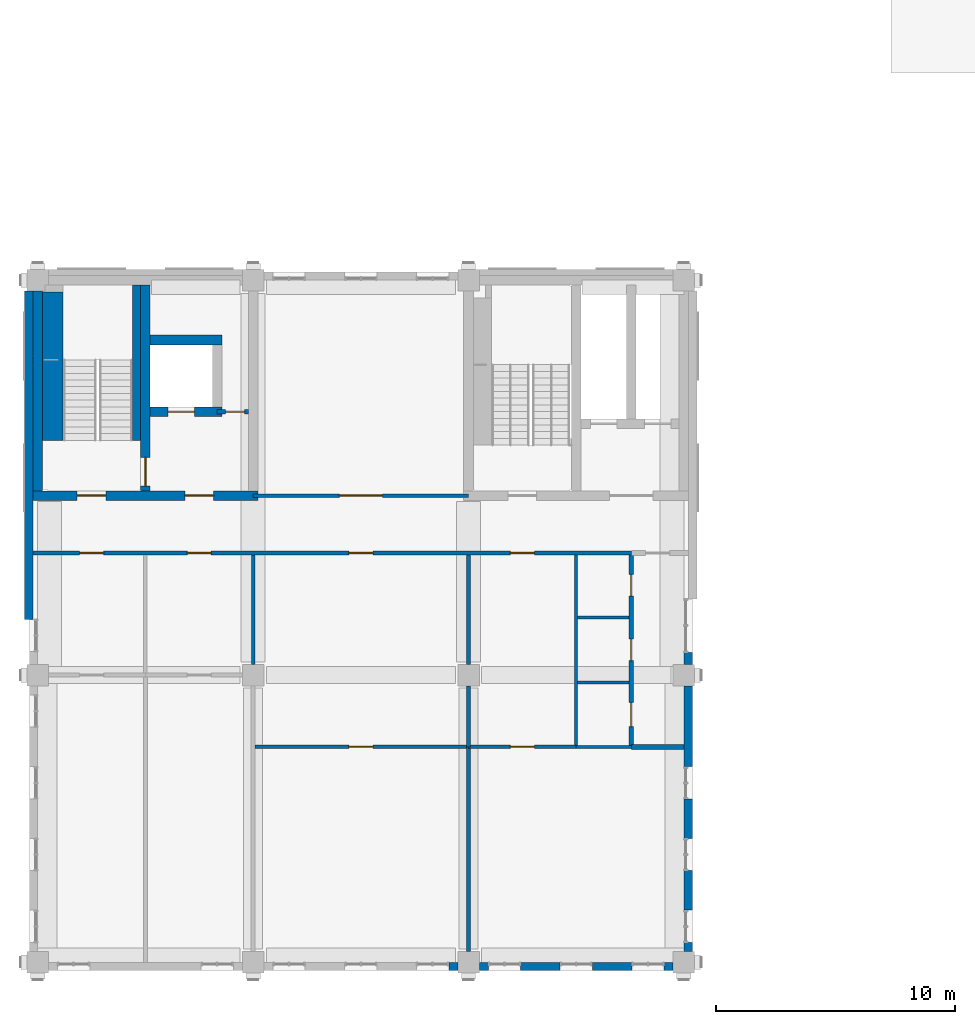
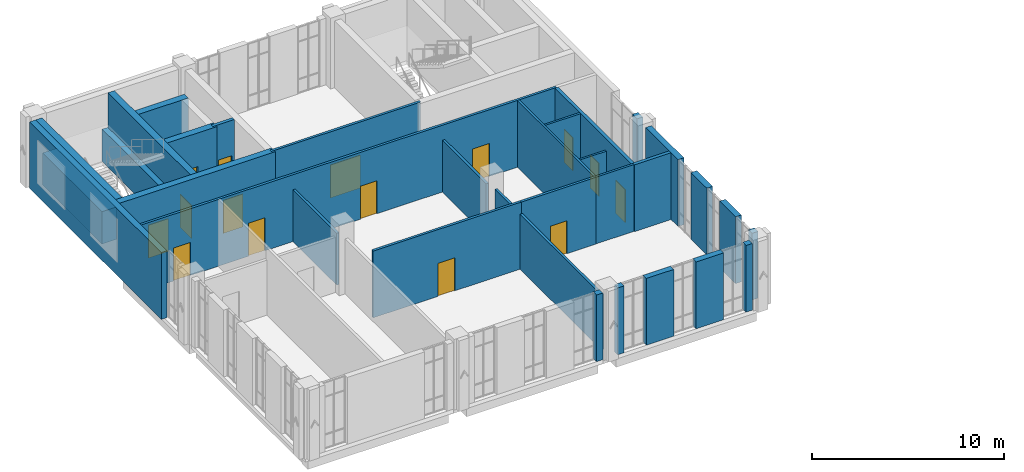
# One storey, part 17 of 25: 33 walls, 15 doors, 15 openings.
"""IFC4 building model written with IfcOpenShell, lengths in metres."""

from ifc_helpers import new_model, si_unit, direction, frame, frame_2d, origin, place, context, subcontext, project, spatial, rectangle, extrude, material, layer, layer_set, type_object, element, fill, save


model = new_model("IFC4")

# Units and contexts
model_context = context("Model", 3, precision=1e-05, world=origin(), true_north=direction((0.0, 1.0)))
body_context = subcontext(model_context, "Body", "Model", "MODEL_VIEW")
ifc_project = project(units=[si_unit("LENGTHUNIT", "METRE"), si_unit("AREAUNIT", "SQUARE_METRE"), si_unit("VOLUMEUNIT", "CUBIC_METRE"), si_unit("PLANEANGLEUNIT", "RADIAN"), si_unit("MASSUNIT", "GRAM", prefix="KILO")], contexts=[model_context])

# Site, building, storey
site_placement = place(None, origin())
site = spatial("IfcSite", under=ifc_project, at=site_placement, CompositionType="ELEMENT")
building_placement = place(site_placement, origin())
building = spatial("IfcBuilding", under=site, at=building_placement, Name="Aurelan Courthouse", CompositionType="ELEMENT")
storey_placement = place(building_placement, frame((0.0, 0.0, 44.39990234375)))
storey = spatial("IfcBuildingStorey", under=building, at=storey_placement, Name="L08", CompositionType="ELEMENT", Elevation=44.39990234375)

# Wall, openings, doors
ifc_material_1 = material(Name="Gypsum board on metal studs")
ifc_layer_1 = layer(ifc_material_1, 0.14990234375)
ifc_layer_set_1 = layer_set([ifc_layer_1], Name="Gypsum board on metal studs")
wall_type_1 = type_object("IfcWallType", Name="Corridor partition 150 EI 60", PredefinedType="PARTITIONING", material=ifc_layer_set_1)
wall_1_placement = place(storey_placement, frame((-0.199951171875, 17.10009765625, 0.0), z_axis=(0.0, 0.0, 1.0), x_axis=(1.0, 0.0, 0.0)))
wall_1 = element("IfcWall", 1, at=wall_1_placement, inside=storey, type_object=wall_type_1, Name="Corridor partition L08-009", PredefinedType="PARTITIONING", context=body_context, shape_type="SweptSolid", body=[
    extrude(rectangle(XDim=25.0, YDim=0.14990234375, at=frame_2d((12.5, 0.0))), origin(), (0.0, 0.0, 1.0), 4.25),
])
opening_1_placement = place(wall_1_placement, frame((2.949951171875, 0.0, 0.0), z_axis=(0.0, 0.0, 1.0), x_axis=(-1.0, 0.0, 0.0)))
opening_1 = element("IfcOpeningElement", 2, at=opening_1_placement, cuts=wall_1, Name="Opening D-L08-010", PredefinedType="OPENING", context=body_context, shape_type="SweptSolid", body=[
    extrude(rectangle(XDim=1.0, YDim=2.10009765625, at=frame_2d((0.5, 1.050048828125))), frame((0.0, 0.0849609375, 0.0), z_axis=(0.0, -1.0, 0.0), x_axis=(1.0, 0.0, 0.0)), (0.0, 0.0, 1.0), 0.169921875),
])
opening_2_placement = place(wall_1_placement, frame((7.449951171875, 0.0, 0.0), z_axis=(0.0, 0.0, 1.0), x_axis=(-1.0, 0.0, 0.0)))
opening_2 = element("IfcOpeningElement", 3, at=opening_2_placement, cuts=wall_1, Name="Opening D-L08-012", PredefinedType="OPENING", context=body_context, shape_type="SweptSolid", body=[
    extrude(rectangle(XDim=1.0, YDim=2.10009765625, at=frame_2d((0.5, 1.050048828125))), frame((0.0, 0.0849609375, 0.0), z_axis=(0.0, -1.0, 0.0), x_axis=(1.0, 0.0, 0.0)), (0.0, 0.0, 1.0), 0.169921875),
])
opening_3_placement = place(wall_1_placement, frame((14.199951171875, 0.0, 0.0), z_axis=(0.0, 0.0, 1.0), x_axis=(-1.0, 0.0, 0.0)))
opening_3 = element("IfcOpeningElement", 4, at=opening_3_placement, cuts=wall_1, Name="Opening D-L08-014", PredefinedType="OPENING", context=body_context, shape_type="SweptSolid", body=[
    extrude(rectangle(XDim=1.0, YDim=2.10009765625, at=frame_2d((0.5, 1.050048828125))), frame((0.0, 0.0849609375, 0.0), z_axis=(0.0, -1.0, 0.0), x_axis=(1.0, 0.0, 0.0)), (0.0, 0.0, 1.0), 0.169921875),
])
opening_4_placement = place(wall_1_placement, frame((20.949951171875, 0.0, 0.0), z_axis=(0.0, 0.0, 1.0), x_axis=(-1.0, 0.0, 0.0)))
opening_4 = element("IfcOpeningElement", 5, at=opening_4_placement, cuts=wall_1, Name="Opening D-L08-017", PredefinedType="OPENING", context=body_context, shape_type="SweptSolid", body=[
    extrude(rectangle(XDim=1.0, YDim=2.10009765625, at=frame_2d((0.5, 1.050048828125))), frame((0.0, 0.0849609375, 0.0), z_axis=(0.0, -1.0, 0.0), x_axis=(1.0, 0.0, 0.0)), (0.0, 0.0, 1.0), 0.169921875),
])
ifc_material_2 = material(Name="Steel", Category="steel")
door_type_1 = type_object("IfcDoorType", Name="Single door 1000 x 2100 FD60", OperationType="SINGLE_SWING_LEFT", PredefinedType="DOOR", material=ifc_material_2)
door_1_placement = place(opening_1_placement, origin())
door_1 = element("IfcDoor", 6, at=door_1_placement, inside=storey, type_object=door_type_1, Name="Single door D-L08-010", OperationType="SINGLE_SWING_LEFT", OverallHeight=2.10009765625, OverallWidth=1.0, PredefinedType="DOOR", context=body_context, shape_type="SweptSolid", body=[
    extrude(rectangle(XDim=1.0, YDim=2.10009765625, at=frame_2d((0.5, 1.050048828125))), frame((0.0, 0.02490234375, 0.0), z_axis=(0.0, -1.0, 0.0), x_axis=(1.0, 0.0, 0.0)), (0.0, 0.0, 1.0), 0.050048828125),
])
fill(opening_1, door_1)
door_2_placement = place(opening_2_placement, origin())
door_2 = element("IfcDoor", 7, at=door_2_placement, inside=storey, type_object=door_type_1, Name="Single door D-L08-012", OperationType="SINGLE_SWING_RIGHT", OverallHeight=2.10009765625, OverallWidth=1.0, PredefinedType="DOOR", context=body_context, shape_type="SweptSolid", body=[
    extrude(rectangle(XDim=1.0, YDim=2.10009765625, at=frame_2d((0.5, 1.050048828125))), frame((0.0, 0.02490234375, 0.0), z_axis=(0.0, -1.0, 0.0), x_axis=(1.0, 0.0, 0.0)), (0.0, 0.0, 1.0), 0.050048828125),
])
fill(opening_2, door_2)
door_3_placement = place(opening_3_placement, origin())
door_3 = element("IfcDoor", 8, at=door_3_placement, inside=storey, type_object=door_type_1, Name="Single door D-L08-014", OperationType="SINGLE_SWING_RIGHT", OverallHeight=2.10009765625, OverallWidth=1.0, PredefinedType="DOOR", context=body_context, shape_type="SweptSolid", body=[
    extrude(rectangle(XDim=1.0, YDim=2.10009765625, at=frame_2d((0.5, 1.050048828125))), frame((0.0, 0.02490234375, 0.0), z_axis=(0.0, -1.0, 0.0), x_axis=(1.0, 0.0, 0.0)), (0.0, 0.0, 1.0), 0.050048828125),
])
fill(opening_3, door_3)
door_4_placement = place(opening_4_placement, origin())
door_4 = element("IfcDoor", 9, at=door_4_placement, inside=storey, type_object=door_type_1, Name="Single door D-L08-017", OperationType="SINGLE_SWING_LEFT", OverallHeight=2.10009765625, OverallWidth=1.0, PredefinedType="DOOR", context=body_context, shape_type="SweptSolid", body=[
    extrude(rectangle(XDim=1.0, YDim=2.10009765625, at=frame_2d((0.5, 1.050048828125))), frame((0.0, 0.02490234375, 0.0), z_axis=(0.0, -1.0, 0.0), x_axis=(1.0, 0.0, 0.0)), (0.0, 0.0, 1.0), 0.050048828125),
])
fill(opening_4, door_4)

# Wall, opening, door
wall_2_placement = place(storey_placement, frame((9.0, 19.5, 0.0), z_axis=(0.0, 0.0, 1.0), x_axis=(1.0, 0.0, 0.0)))
wall_2 = element("IfcWall", 10, at=wall_2_placement, inside=storey, type_object=wall_type_1, Name="Corridor partition L08-011", PredefinedType="PARTITIONING", context=body_context, shape_type="SweptSolid", body=[
    extrude(rectangle(XDim=9.0, YDim=0.14990234375, at=frame_2d((4.5, 0.0))), origin(), (0.0, 0.0, 1.0), 4.25),
])
opening_5_placement = place(wall_2_placement, frame((3.60009765625, 0.0, 0.0)))
opening_5 = element("IfcOpeningElement", 11, at=opening_5_placement, cuts=wall_2, Name="Opening D-L08-016", PredefinedType="OPENING", context=body_context, shape_type="SweptSolid", body=[
    extrude(rectangle(XDim=1.800048828125, YDim=2.10009765625, at=frame_2d((0.89990234375, 1.050048828125))), frame((0.0, 0.0849609375, 0.0), z_axis=(0.0, -1.0, 0.0), x_axis=(1.0, 0.0, 0.0)), (0.0, 0.0, 1.0), 0.169921875),
])
door_type_2 = type_object("IfcDoorType", Name="Double door 1800 x 2100 FD60", OperationType="DOUBLE_DOOR_SINGLE_SWING", PredefinedType="DOOR", material=ifc_material_2)
door_5_placement = place(opening_5_placement, origin())
door_5 = element("IfcDoor", 12, at=door_5_placement, inside=storey, type_object=door_type_2, Name="Double door D-L08-016", OperationType="DOUBLE_DOOR_SINGLE_SWING", OverallHeight=2.10009765625, OverallWidth=1.800048828125, PredefinedType="DOOR", context=body_context, shape_type="SweptSolid", body=[
    extrude(rectangle(XDim=1.800048828125, YDim=2.10009765625, at=frame_2d((0.89990234375, 1.050048828125))), frame((0.0, 0.02490234375, 0.0), z_axis=(0.0, -1.0, 0.0), x_axis=(1.0, 0.0, 0.0)), (0.0, 0.0, 1.0), 0.050048828125),
])
fill(opening_5, door_5)

# Walls
ifc_material_3 = material(Name="Limestone cladding", Category="masonry")
ifc_layer_2 = layer(ifc_material_3, 0.10009765625, Name="Facing")
ifc_material_4 = material(Name="Ventilated cavity")
ifc_layer_3 = layer(ifc_material_4, 0.02490234375, ventilated=True, Name="Ventilated cavity")
ifc_material_5 = material(Name="Mineral wool insulation")
ifc_layer_4 = layer(ifc_material_5, 0.050048828125, Name="Insulation")
ifc_material_6 = material(Name="Concrete C30", Category="concrete")
ifc_layer_5 = layer(ifc_material_6, 0.175048828125, Name="Structure")
ifc_layer_set_2 = layer_set([ifc_layer_2, ifc_layer_3, ifc_layer_4, ifc_layer_5], Name="Concrete C30")
wall_type_2 = type_object("IfcWallType", Name="Courts' Floors stone-faced wall 350", PredefinedType="SOLIDWALL", material=ifc_layer_set_2)
for number, where, z_axis, x_axis, name in (
    (13, (17.175048828125, -0.175048828125, 0.0), (0.0, 0.0, 1.0), (1.0, 0.0, 0.0), "Facade wall FW-V5-L08-007"),
    (14, (18.449951171875, -0.175048828125, 0.0), (0.0, 0.0, 1.0), (1.0, 0.0, 0.0), "Facade wall FW-V5-L08-008"),
):
    element("IfcWall", number, at=place(storey_placement, frame(where, z_axis=z_axis, x_axis=x_axis)), inside=storey, type_object=wall_type_2, Name=name, PredefinedType="SOLIDWALL", context=body_context, shape_type="SweptSolid", body=[
        extrude(rectangle(XDim=0.375, YDim=0.35009765625, at=frame_2d((0.1875, 0.0))), origin(), (0.0, 0.0, 1.0), 4.25),
    ])
for number, where, z_axis, x_axis, name in (
    (15, (20.175048828125, -0.175048828125, 0.0), (0.0, 0.0, 1.0), (1.0, 0.0, 0.0), "Facade wall FW-V5-L08-009"),
    (16, (23.175048828125, -0.175048828125, 0.0), (0.0, 0.0, 1.0), (1.0, 0.0, 0.0), "Facade wall FW-V5-L08-010"),
):
    element("IfcWall", number, at=place(storey_placement, frame(where, z_axis=z_axis, x_axis=x_axis)), inside=storey, type_object=wall_type_2, Name=name, PredefinedType="SOLIDWALL", context=body_context, shape_type="SweptSolid", body=[
        extrude(rectangle(XDim=1.64990234375, YDim=0.35009765625, at=frame_2d((0.824951171875, 0.0))), origin(), (0.0, 0.0, 1.0), 4.25),
    ])
for number, where, z_axis, x_axis, name in (
    (17, (26.175048828125, -0.175048828125, 0.0), (0.0, 0.0, 1.0), (1.0, 0.0, 0.0), "Facade wall FW-V5-L08-011"),
    (18, (27.175048828125, 0.449951171875, 0.0), (0.0, 0.0, 1.0), (0.0, 1.0, 0.0), "Facade wall FW-V5-L08-018"),
):
    element("IfcWall", number, at=place(storey_placement, frame(where, z_axis=z_axis, x_axis=x_axis)), inside=storey, type_object=wall_type_2, Name=name, PredefinedType="SOLIDWALL", context=body_context, shape_type="SweptSolid", body=[
        extrude(rectangle(XDim=0.375, YDim=0.35009765625, at=frame_2d((0.1875, 0.0))), origin(), (0.0, 0.0, 1.0), 4.25),
    ])
for number, where, z_axis, x_axis, name in (
    (19, (27.175048828125, 2.175048828125, 0.0), (0.0, 0.0, 1.0), (0.0, 1.0, 0.0), "Facade wall FW-V5-L08-019"),
    (20, (27.175048828125, 5.175048828125, 0.0), (0.0, 0.0, 1.0), (0.0, 1.0, 0.0), "Facade wall FW-V5-L08-020"),
):
    element("IfcWall", number, at=place(storey_placement, frame(where, z_axis=z_axis, x_axis=x_axis)), inside=storey, type_object=wall_type_2, Name=name, PredefinedType="SOLIDWALL", context=body_context, shape_type="SweptSolid", body=[
        extrude(rectangle(XDim=1.64990234375, YDim=0.35009765625, at=frame_2d((0.824951171875, 0.0))), origin(), (0.0, 0.0, 1.0), 4.25),
    ])
wall_3_placement = place(storey_placement, frame((27.175048828125, 8.175048828125, 0.0), z_axis=(0.0, 0.0, 1.0), x_axis=(0.0, 1.0, 0.0)))
element("IfcWall", 21, at=wall_3_placement, inside=storey, type_object=wall_type_2, Name="Facade wall FW-V5-L08-021", PredefinedType="SOLIDWALL", context=body_context, shape_type="SweptSolid", body=[
    extrude(rectangle(XDim=3.375, YDim=0.35009765625, at=frame_2d((1.6875, 0.0))), origin(), (0.0, 0.0, 1.0), 4.25),
])
wall_4_placement = place(storey_placement, frame((27.175048828125, 12.449951171875, 0.0), z_axis=(0.0, 0.0, 1.0), x_axis=(0.0, 1.0, 0.0)))
element("IfcWall", 22, at=wall_4_placement, inside=storey, type_object=wall_type_2, Name="Facade wall FW-V5-L08-022", PredefinedType="SOLIDWALL", context=body_context, shape_type="SweptSolid", body=[
    extrude(rectangle(XDim=0.487548828125, YDim=0.35009765625, at=frame_2d((0.24365234375, 0.0))), origin(), (0.0, 0.0, 1.0), 4.25),
])
wall_5_placement = place(storey_placement, frame((-0.375, 14.324951171875, 0.0), z_axis=(0.0, 0.0, 1.0), x_axis=(0.0, 1.0, 0.0)))
element("IfcWall", 23, at=wall_5_placement, inside=storey, type_object=wall_type_2, Name="Facade wall FW-V5-L08-030", PredefinedType="SOLIDWALL", context=body_context, shape_type="SweptSolid", body=[
    extrude(rectangle(XDim=13.72509765625, YDim=0.35009765625, at=frame_2d((6.862548828125, 0.0))), origin(), (0.0, 0.0, 1.0), 4.25),
])
ifc_material_7 = material(Name="Masonry block", Category="masonry")
ifc_layer_6 = layer(ifc_material_7, 0.199951171875)
ifc_layer_set_3 = layer_set([ifc_layer_6], Name="Masonry block")
wall_type_3 = type_object("IfcWallType", Name="Lift lobby wall 200 EI 60", PredefinedType="PARTITIONING", material=ifc_layer_set_3)
wall_6_placement = place(storey_placement, frame((24.800048828125, 9.0, 0.0), z_axis=(0.0, 0.0, 1.0), x_axis=(1.0, 0.0, 0.0)))
element("IfcWall", 24, at=wall_6_placement, inside=storey, type_object=wall_type_3, Name="Lift lobby wall L08-004", PredefinedType="PARTITIONING", context=body_context, shape_type="SweptSolid", body=[
    extrude(rectangle(XDim=2.199951171875, YDim=0.199951171875, at=frame_2d((1.10009765625, 0.0))), origin(), (0.0, 0.0, 1.0), 4.25),
])

# Wall, openings, doors
wall_7_placement = place(storey_placement, frame((24.800048828125, 9.0625, 0.0), z_axis=(0.0, 0.0, 1.0), x_axis=(0.0, 1.0, 0.0)))
wall_7 = element("IfcWall", 25, at=wall_7_placement, inside=storey, type_object=wall_type_3, Name="Lift lobby wall L08-021", PredefinedType="PARTITIONING", context=body_context, shape_type="SweptSolid", body=[
    extrude(rectangle(XDim=7.96240234375, YDim=0.199951171875, at=frame_2d((3.981201171875, 0.0))), origin(), (0.0, 0.0, 1.0), 4.25),
])
opening_6_placement = place(wall_7_placement, frame((6.237548828125, 0.0, 0.0)))
opening_6 = element("IfcOpeningElement", 26, at=opening_6_placement, cuts=wall_7, Name="Opening D-L08-020", PredefinedType="OPENING", context=body_context, shape_type="SweptSolid", body=[
    extrude(rectangle(XDim=0.89990234375, YDim=2.10009765625, at=frame_2d((0.449951171875, 1.050048828125))), frame((0.0, 0.10986328125, 0.0), z_axis=(0.0, -1.0, 0.0), x_axis=(1.0, 0.0, 0.0)), (0.0, 0.0, 1.0), 0.219970703125),
])
opening_7_placement = place(wall_7_placement, frame((3.53759765625, 0.0, 0.0)))
opening_7 = element("IfcOpeningElement", 27, at=opening_7_placement, cuts=wall_7, Name="Opening D-L08-021", PredefinedType="OPENING", context=body_context, shape_type="SweptSolid", body=[
    extrude(rectangle(XDim=0.89990234375, YDim=2.10009765625, at=frame_2d((0.449951171875, 1.050048828125))), frame((0.0, 0.10986328125, 0.0), z_axis=(0.0, -1.0, 0.0), x_axis=(1.0, 0.0, 0.0)), (0.0, 0.0, 1.0), 0.219970703125),
])
opening_8_placement = place(wall_7_placement, frame((0.78759765625, 0.0, 0.0)))
opening_8 = element("IfcOpeningElement", 28, at=opening_8_placement, cuts=wall_7, Name="Opening D-L08-022", PredefinedType="OPENING", context=body_context, shape_type="SweptSolid", body=[
    extrude(rectangle(XDim=1.0, YDim=2.10009765625, at=frame_2d((0.5, 1.050048828125))), frame((0.0, 0.10986328125, 0.0), z_axis=(0.0, -1.0, 0.0), x_axis=(1.0, 0.0, 0.0)), (0.0, 0.0, 1.0), 0.219970703125),
])
door_6_placement = place(opening_8_placement, origin())
door_6 = element("IfcDoor", 29, at=door_6_placement, inside=storey, type_object=door_type_1, Name="Single door D-L08-022", OperationType="SINGLE_SWING_LEFT", OverallHeight=2.10009765625, OverallWidth=1.0, PredefinedType="DOOR", context=body_context, shape_type="SweptSolid", body=[
    extrude(rectangle(XDim=1.0, YDim=2.10009765625, at=frame_2d((0.5, 1.050048828125))), frame((0.0, 0.02490234375, 0.0), z_axis=(0.0, -1.0, 0.0), x_axis=(1.0, 0.0, 0.0)), (0.0, 0.0, 1.0), 0.050048828125),
])
fill(opening_8, door_6)
door_type_3 = type_object("IfcDoorType", Name="Single door 900 x 2100 FD60", OperationType="SINGLE_SWING_LEFT", PredefinedType="DOOR", material=ifc_material_2)
door_7_placement = place(opening_6_placement, origin())
door_7 = element("IfcDoor", 30, at=door_7_placement, inside=storey, type_object=door_type_3, Name="Single door D-L08-020", OperationType="SINGLE_SWING_LEFT", OverallHeight=2.10009765625, OverallWidth=0.89990234375, PredefinedType="DOOR", context=body_context, shape_type="SweptSolid", body=[
    extrude(rectangle(XDim=0.89990234375, YDim=2.10009765625, at=frame_2d((0.449951171875, 1.050048828125))), frame((0.0, 0.02490234375, 0.0), z_axis=(0.0, -1.0, 0.0), x_axis=(1.0, 0.0, 0.0)), (0.0, 0.0, 1.0), 0.050048828125),
])
fill(opening_6, door_7)
door_8_placement = place(opening_7_placement, origin())
door_8 = element("IfcDoor", 31, at=door_8_placement, inside=storey, type_object=door_type_3, Name="Single door D-L08-021", OperationType="SINGLE_SWING_RIGHT", OverallHeight=2.10009765625, OverallWidth=0.89990234375, PredefinedType="DOOR", context=body_context, shape_type="SweptSolid", body=[
    extrude(rectangle(XDim=0.89990234375, YDim=2.10009765625, at=frame_2d((0.449951171875, 1.050048828125))), frame((0.0, 0.02490234375, 0.0), z_axis=(0.0, -1.0, 0.0), x_axis=(1.0, 0.0, 0.0)), (0.0, 0.0, 1.0), 0.050048828125),
])
fill(opening_7, door_8)

# Wall, opening, door
ifc_layer_7 = layer(ifc_material_1, 0.14990234375)
ifc_layer_set_4 = layer_set([ifc_layer_7], Name="Gypsum board on metal studs")
wall_type_4 = type_object("IfcWallType", Name="Partition 150 NOT RATED", PredefinedType="PARTITIONING", material=ifc_layer_set_4)
wall_8_placement = place(storey_placement, frame((9.08740234375, 9.0, 0.0), z_axis=(0.0, 0.0, 1.0), x_axis=(1.0, 0.0, 0.0)))
wall_8 = element("IfcWall", 32, at=wall_8_placement, inside=storey, type_object=wall_type_4, Name="Partition L08-001", PredefinedType="PARTITIONING", context=body_context, shape_type="SweptSolid", body=[
    extrude(rectangle(XDim=8.91259765625, YDim=0.14990234375, at=frame_2d((4.456298828125, 0.0))), origin(), (0.0, 0.0, 1.0), 4.25),
])
opening_9_placement = place(wall_8_placement, frame((4.91259765625, 0.0, 0.0), z_axis=(0.0, 0.0, 1.0), x_axis=(-1.0, 0.0, 0.0)))
opening_9 = element("IfcOpeningElement", 33, at=opening_9_placement, cuts=wall_8, Name="Opening D-L08-015", PredefinedType="OPENING", context=body_context, shape_type="SweptSolid", body=[
    extrude(rectangle(XDim=1.0, YDim=2.10009765625, at=frame_2d((0.5, 1.050048828125))), frame((0.0, 0.0849609375, 0.0), z_axis=(0.0, -1.0, 0.0), x_axis=(1.0, 0.0, 0.0)), (0.0, 0.0, 1.0), 0.169921875),
])
ifc_material_8 = material(Name="Timber", Category="wood")
door_type_4 = type_object("IfcDoorType", Name="Single door 1000 x 2100 NOT RATED", OperationType="SINGLE_SWING_LEFT", PredefinedType="DOOR", material=ifc_material_8)
door_9_placement = place(opening_9_placement, origin())
door_9 = element("IfcDoor", 34, at=door_9_placement, inside=storey, type_object=door_type_4, Name="Single door D-L08-015", OperationType="SINGLE_SWING_LEFT", OverallHeight=2.10009765625, OverallWidth=1.0, PredefinedType="DOOR", context=body_context, shape_type="SweptSolid", body=[
    extrude(rectangle(XDim=1.0, YDim=2.10009765625, at=frame_2d((0.5, 1.050048828125))), frame((0.0, 0.02490234375, 0.0), z_axis=(0.0, -1.0, 0.0), x_axis=(1.0, 0.0, 0.0)), (0.0, 0.0, 1.0), 0.050048828125),
])
fill(opening_9, door_9)

wall_9_placement = place(storey_placement, frame((18.0, 9.0, 0.0), z_axis=(0.0, 0.0, 1.0), x_axis=(1.0, 0.0, 0.0)))
wall_9 = element("IfcWall", 35, at=wall_9_placement, inside=storey, type_object=wall_type_4, Name="Partition L08-002", PredefinedType="PARTITIONING", context=body_context, shape_type="SweptSolid", body=[
    extrude(rectangle(XDim=4.5, YDim=0.14990234375, at=frame_2d((2.25, 0.0))), origin(), (0.0, 0.0, 1.0), 4.25),
])
opening_10_placement = place(wall_9_placement, frame((2.75, 0.0, 0.0), z_axis=(0.0, 0.0, 1.0), x_axis=(-1.0, 0.0, 0.0)))
opening_10 = element("IfcOpeningElement", 36, at=opening_10_placement, cuts=wall_9, Name="Opening D-L08-019", PredefinedType="OPENING", context=body_context, shape_type="SweptSolid", body=[
    extrude(rectangle(XDim=1.0, YDim=2.10009765625, at=frame_2d((0.5, 1.050048828125))), frame((0.0, 0.0849609375, 0.0), z_axis=(0.0, -1.0, 0.0), x_axis=(1.0, 0.0, 0.0)), (0.0, 0.0, 1.0), 0.169921875),
])
door_10_placement = place(opening_10_placement, origin())
door_10 = element("IfcDoor", 37, at=door_10_placement, inside=storey, type_object=door_type_4, Name="Single door D-L08-019", OperationType="SINGLE_SWING_RIGHT", OverallHeight=2.10009765625, OverallWidth=1.0, PredefinedType="DOOR", context=body_context, shape_type="SweptSolid", body=[
    extrude(rectangle(XDim=1.0, YDim=2.10009765625, at=frame_2d((0.5, 1.050048828125))), frame((0.0, 0.02490234375, 0.0), z_axis=(0.0, -1.0, 0.0), x_axis=(1.0, 0.0, 0.0)), (0.0, 0.0, 1.0), 0.050048828125),
])
fill(opening_10, door_10)

# Walls
wall_10_placement = place(storey_placement, frame((9.0, 12.449951171875, 0.0), z_axis=(0.0, 0.0, 1.0), x_axis=(0.0, 1.0, 0.0)))
element("IfcWall", 38, at=wall_10_placement, inside=storey, type_object=wall_type_4, Name="Partition L08-016", PredefinedType="PARTITIONING", context=body_context, shape_type="SweptSolid", body=[
    extrude(rectangle(XDim=4.574951171875, YDim=0.14990234375, at=frame_2d((2.28759765625, 0.0))), origin(), (0.0, 0.0, 1.0), 3.300048828125),
])
wall_11_placement = place(storey_placement, frame((18.0, 0.449951171875, 0.0), z_axis=(0.0, 0.0, 1.0), x_axis=(0.0, 1.0, 0.0)))
element("IfcWall", 39, at=wall_11_placement, inside=storey, type_object=wall_type_4, Name="Partition L08-017", PredefinedType="PARTITIONING", context=body_context, shape_type="SweptSolid", body=[
    extrude(rectangle(XDim=8.550048828125, YDim=0.14990234375, at=frame_2d((4.27490234375, 0.0))), origin(), (0.0, 0.0, 1.0), 3.5),
])
wall_12_placement = place(storey_placement, frame((18.0, 9.0, 0.0), z_axis=(0.0, 0.0, 1.0), x_axis=(0.0, 1.0, 0.0)))
element("IfcWall", 40, at=wall_12_placement, inside=storey, type_object=wall_type_4, Name="Partition L08-018", PredefinedType="PARTITIONING", context=body_context, shape_type="SweptSolid", body=[
    extrude(rectangle(XDim=2.550048828125, YDim=0.14990234375, at=frame_2d((1.27490234375, 0.0))), origin(), (0.0, 0.0, 1.0), 3.5),
])
wall_13_placement = place(storey_placement, frame((18.0, 12.449951171875, 0.0), z_axis=(0.0, 0.0, 1.0), x_axis=(0.0, 1.0, 0.0)))
element("IfcWall", 41, at=wall_13_placement, inside=storey, type_object=wall_type_4, Name="Partition L08-019", PredefinedType="PARTITIONING", context=body_context, shape_type="SweptSolid", body=[
    extrude(rectangle(XDim=4.574951171875, YDim=0.14990234375, at=frame_2d((2.28759765625, 0.0))), origin(), (0.0, 0.0, 1.0), 3.300048828125),
])

# Wall, openings, doors
ifc_material_9 = material(Name="Concrete C50", Category="concrete")
ifc_layer_8 = layer(ifc_material_9, 0.39990234375)
ifc_layer_set_5 = layer_set([ifc_layer_8], Name="Concrete C50")
wall_type_5 = type_object("IfcWallType", Name="RC shear wall 400", PredefinedType="SHEAR", material=ifc_layer_set_5)
wall_14_placement = place(storey_placement, frame((-0.199951171875, 19.5, 0.0), z_axis=(0.0, 0.0, 1.0), x_axis=(1.0, 0.0, 0.0)))
wall_14 = element("IfcWall", 42, at=wall_14_placement, inside=storey, type_object=wall_type_5, Name="Core wall SW-L08-001", PredefinedType="SHEAR", context=body_context, shape_type="SweptSolid", body=[
    extrude(rectangle(XDim=9.39990234375, YDim=0.39990234375, at=frame_2d((4.699951171875, 0.0))), origin(), (0.0, 0.0, 1.0), 4.25),
])
opening_11_placement = place(wall_14_placement, frame((1.85009765625, 0.0, 0.0)))
opening_11 = element("IfcOpeningElement", 43, at=opening_11_placement, cuts=wall_14, Name="Opening D-L08-001", PredefinedType="OPENING", context=body_context, shape_type="SweptSolid", body=[
    extrude(rectangle(XDim=1.199951171875, YDim=2.10009765625, at=frame_2d((0.60009765625, 1.050048828125))), frame((0.0, 0.2099609375, 0.0), z_axis=(0.0, -1.0, 0.0), x_axis=(1.0, 0.0, 0.0)), (0.0, 0.0, 1.0), 0.419921875),
])
opening_12_placement = place(wall_14_placement, frame((6.35009765625, 0.0, 0.0)))
opening_12 = element("IfcOpeningElement", 44, at=opening_12_placement, cuts=wall_14, Name="Opening D-L08-003", PredefinedType="OPENING", context=body_context, shape_type="SweptSolid", body=[
    extrude(rectangle(XDim=1.199951171875, YDim=2.10009765625, at=frame_2d((0.60009765625, 1.050048828125))), frame((0.0, 0.2099609375, 0.0), z_axis=(0.0, -1.0, 0.0), x_axis=(1.0, 0.0, 0.0)), (0.0, 0.0, 1.0), 0.419921875),
])
door_type_5 = type_object("IfcDoorType", Name="Single door 1200 x 2100 FD90", OperationType="SINGLE_SWING_LEFT", PredefinedType="DOOR", material=ifc_material_2)
door_11_placement = place(opening_11_placement, origin())
door_11 = element("IfcDoor", 45, at=door_11_placement, inside=storey, type_object=door_type_5, Name="Single door D-L08-001", OperationType="SINGLE_SWING_RIGHT", OverallHeight=2.10009765625, OverallWidth=1.199951171875, PredefinedType="DOOR", context=body_context, shape_type="SweptSolid", body=[
    extrude(rectangle(XDim=1.199951171875, YDim=2.10009765625, at=frame_2d((0.60009765625, 1.050048828125))), frame((0.0, 0.02490234375, 0.0), z_axis=(0.0, -1.0, 0.0), x_axis=(1.0, 0.0, 0.0)), (0.0, 0.0, 1.0), 0.050048828125),
])
fill(opening_11, door_11)
door_12_placement = place(opening_12_placement, origin())
door_12 = element("IfcDoor", 46, at=door_12_placement, inside=storey, type_object=door_type_5, Name="Single door D-L08-003", OperationType="SINGLE_SWING_RIGHT", OverallHeight=2.10009765625, OverallWidth=1.199951171875, PredefinedType="DOOR", context=body_context, shape_type="SweptSolid", body=[
    extrude(rectangle(XDim=1.199951171875, YDim=2.10009765625, at=frame_2d((0.60009765625, 1.050048828125))), frame((0.0, 0.02490234375, 0.0), z_axis=(0.0, -1.0, 0.0), x_axis=(1.0, 0.0, 0.0)), (0.0, 0.0, 1.0), 0.050048828125),
])
fill(opening_12, door_12)

# Wall
wall_15_placement = place(storey_placement, frame((0.0, 19.699951171875, 0.0), z_axis=(0.0, 0.0, 1.0), x_axis=(0.0, 1.0, 0.0)))
element("IfcWall", 47, at=wall_15_placement, inside=storey, type_object=wall_type_5, Name="Core wall SW-L08-003", PredefinedType="SHEAR", context=body_context, shape_type="SweptSolid", body=[
    extrude(rectangle(XDim=8.35009765625, YDim=0.39990234375, at=frame_2d((4.175048828125, 0.0))), origin(), (0.0, 0.0, 1.0), 4.25),
])

# Wall, opening, door
wall_16_placement = place(storey_placement, frame((4.5, 19.699951171875, 0.0), z_axis=(0.0, 0.0, 1.0), x_axis=(0.0, 1.0, 0.0)))
wall_16 = element("IfcWall", 48, at=wall_16_placement, inside=storey, type_object=wall_type_5, Name="Core wall SW-L08-004", PredefinedType="SHEAR", context=body_context, shape_type="SweptSolid", body=[
    extrude(rectangle(XDim=8.60009765625, YDim=0.39990234375, at=frame_2d((4.300048828125, 0.0))), origin(), (0.0, 0.0, 1.0), 4.25),
])
opening_13_placement = place(wall_16_placement, frame((0.199951171875, 0.0, 0.0)))
opening_13 = element("IfcOpeningElement", 49, at=opening_13_placement, cuts=wall_16, Name="Opening D-L08-002", PredefinedType="OPENING", context=body_context, shape_type="SweptSolid", body=[
    extrude(rectangle(XDim=1.199951171875, YDim=2.10009765625, at=frame_2d((0.60009765625, 1.050048828125))), frame((0.0, 0.2099609375, 0.0), z_axis=(0.0, -1.0, 0.0), x_axis=(1.0, 0.0, 0.0)), (0.0, 0.0, 1.0), 0.419921875),
])
door_13_placement = place(opening_13_placement, origin())
door_13 = element("IfcDoor", 50, at=door_13_placement, inside=storey, type_object=door_type_5, Name="Single door D-L08-002", OperationType="SINGLE_SWING_LEFT", OverallHeight=2.10009765625, OverallWidth=1.199951171875, PredefinedType="DOOR", context=body_context, shape_type="SweptSolid", body=[
    extrude(rectangle(XDim=1.199951171875, YDim=2.10009765625, at=frame_2d((0.60009765625, 1.050048828125))), frame((0.0, 0.02490234375, 0.0), z_axis=(0.0, -1.0, 0.0), x_axis=(1.0, 0.0, 0.0)), (0.0, 0.0, 1.0), 0.050048828125),
])
fill(opening_13, door_13)

wall_17_placement = place(storey_placement, frame((4.699951171875, 23.0, 0.0), z_axis=(0.0, 0.0, 1.0), x_axis=(1.0, 0.0, 0.0)))
wall_17 = element("IfcWall", 51, at=wall_17_placement, inside=storey, type_object=wall_type_5, Name="Core wall SW-L08-011", PredefinedType="SHEAR", context=body_context, shape_type="SweptSolid", body=[
    extrude(rectangle(XDim=3.0, YDim=0.39990234375, at=frame_2d((1.5, 0.0))), origin(), (0.0, 0.0, 1.0), 4.25),
])
opening_14_placement = place(wall_17_placement, frame((0.75, 0.0, 0.0)))
opening_14 = element("IfcOpeningElement", 52, at=opening_14_placement, cuts=wall_17, Name="Opening LD-V5-F1-L08", PredefinedType="OPENING", context=body_context, shape_type="SweptSolid", body=[
    extrude(rectangle(XDim=1.10009765625, YDim=2.10009765625, at=frame_2d((0.550048828125, 1.050048828125))), frame((0.0, 0.2099609375, 0.0), z_axis=(0.0, -1.0, 0.0), x_axis=(1.0, 0.0, 0.0)), (0.0, 0.0, 1.0), 0.419921875),
])
door_type_6 = type_object("IfcDoorType", Name="Lift landing door 1100 x 2100 FD90", OperationType="SLIDING_TO_LEFT", PredefinedType="DOOR", material=ifc_material_2)
door_14_placement = place(opening_14_placement, origin())
door_14 = element("IfcDoor", 53, at=door_14_placement, inside=storey, type_object=door_type_6, Name="Lift landing door LD-V5-F1-L08", OperationType="SLIDING_TO_LEFT", OverallHeight=2.10009765625, OverallWidth=1.10009765625, PredefinedType="DOOR", context=body_context, shape_type="SweptSolid", body=[
    extrude(rectangle(XDim=1.10009765625, YDim=2.10009765625, at=frame_2d((0.550048828125, 1.050048828125))), frame((0.0, 0.02490234375, 0.0), z_axis=(0.0, -1.0, 0.0), x_axis=(1.0, 0.0, 0.0)), (0.0, 0.0, 1.0), 0.050048828125),
])
fill(opening_14, door_14)

# Wall
wall_18_placement = place(storey_placement, frame((4.699951171875, 26.0, 0.0), z_axis=(0.0, 0.0, 1.0), x_axis=(1.0, 0.0, 0.0)))
element("IfcWall", 54, at=wall_18_placement, inside=storey, type_object=wall_type_5, Name="Core wall SW-L08-013", PredefinedType="SHEAR", context=body_context, shape_type="SweptSolid", body=[
    extrude(rectangle(XDim=3.0, YDim=0.39990234375, at=frame_2d((1.5, 0.0))), origin(), (0.0, 0.0, 1.0), 4.25),
])

# Wall, opening, door
ifc_layer_9 = layer(ifc_material_6, 0.199951171875)
ifc_layer_set_6 = layer_set([ifc_layer_9], Name="Concrete C30")
wall_type_6 = type_object("IfcWallType", Name="Shaft wall 200 EI 120 load-bearing", PredefinedType="SHEAR", material=ifc_layer_set_6)
wall_19_placement = place(storey_placement, frame((7.5, 23.0, 0.0), z_axis=(0.0, 0.0, 1.0), x_axis=(1.0, 0.0, 0.0)))
wall_19 = element("IfcWall", 55, at=wall_19_placement, inside=storey, type_object=wall_type_6, Name="Shaft wall L08-012", PredefinedType="SHEAR", context=body_context, shape_type="SweptSolid", body=[
    extrude(rectangle(XDim=1.300048828125, YDim=0.199951171875, at=frame_2d((0.64990234375, 0.0))), origin(), (0.0, 0.0, 1.0), 4.25),
])
opening_15_placement = place(wall_19_placement, frame((1.150146484375, 0.0, 0.0), z_axis=(0.0, 0.0, 1.0), x_axis=(-1.0, 0.0, 0.0)))
opening_15 = element("IfcOpeningElement", 56, at=opening_15_placement, cuts=wall_19, Name="Opening D-L08-005", PredefinedType="OPENING", context=body_context, shape_type="SweptSolid", body=[
    extrude(rectangle(XDim=0.800048828125, YDim=2.0, at=frame_2d((0.39990234375, 1.0))), frame((0.0, 0.10986328125, 0.0), z_axis=(0.0, -1.0, 0.0), x_axis=(1.0, 0.0, 0.0)), (0.0, 0.0, 1.0), 0.219970703125),
])
door_type_7 = type_object("IfcDoorType", Name="Single door 800 x 2000 FD90", OperationType="SINGLE_SWING_LEFT", PredefinedType="DOOR", material=ifc_material_2)
door_15_placement = place(opening_15_placement, origin())
door_15 = element("IfcDoor", 57, at=door_15_placement, inside=storey, type_object=door_type_7, Name="Single door D-L08-005", OperationType="SINGLE_SWING_LEFT", OverallHeight=2.0, OverallWidth=0.800048828125, PredefinedType="DOOR", context=body_context, shape_type="SweptSolid", body=[
    extrude(rectangle(XDim=0.800048828125, YDim=2.0, at=frame_2d((0.39990234375, 1.0))), frame((0.0, 0.02490234375, 0.0), z_axis=(0.0, -1.0, 0.0), x_axis=(1.0, 0.0, 0.0)), (0.0, 0.0, 1.0), 0.050048828125),
])
fill(opening_15, door_15)

# Walls
ifc_layer_10 = layer(ifc_material_6, 0.340087890625)
ifc_layer_set_7 = layer_set([ifc_layer_10], Name="Concrete C30")
wall_type_7 = type_object("IfcWallType", Name="Stair well wall 340 EI 120 load-bearing", PredefinedType="SHEAR", material=ifc_layer_set_7)
wall_20_placement = place(storey_placement, frame((4.1298828125, 21.81005859375, 0.0), z_axis=(0.0, 0.0, 1.0), x_axis=(0.0, 1.0, 0.0)))
element("IfcWall", 58, at=wall_20_placement, inside=storey, type_object=wall_type_7, Name="Stair well wall ST-5B-L08 B", PredefinedType="SHEAR", context=body_context, shape_type="SweptSolid", body=[
    extrude(rectangle(XDim=6.489990234375, YDim=0.340087890625, at=frame_2d((3.2451171875, 0.0))), origin(), (0.0, 0.0, 1.0), 2.050048828125),
])
ifc_layer_11 = layer(ifc_material_6, 0.860107421875)
ifc_layer_set_8 = layer_set([ifc_layer_11], Name="Concrete C30")
wall_type_8 = type_object("IfcWallType", Name="Stair well wall 860 EI 120 load-bearing", PredefinedType="SHEAR", material=ifc_layer_set_8)
wall_21_placement = place(storey_placement, frame((0.6298828125, 21.81005859375, 0.0), z_axis=(0.0, 0.0, 1.0), x_axis=(0.0, 1.0, 0.0)))
element("IfcWall", 59, at=wall_21_placement, inside=storey, type_object=wall_type_8, Name="Stair well wall ST-5B-L08 A", PredefinedType="SHEAR", context=body_context, shape_type="SweptSolid", body=[
    extrude(rectangle(XDim=6.18994140625, YDim=0.860107421875, at=frame_2d((3.094970703125, 0.0))), origin(), (0.0, 0.0, 1.0), 2.050048828125),
])
ifc_material_10 = material(Name="Moisture-resistant board on metal studs")
ifc_layer_12 = layer(ifc_material_10, 0.125)
ifc_layer_set_9 = layer_set([ifc_layer_12], Name="Moisture-resistant board on metal studs")
wall_type_9 = type_object("IfcWallType", Name="Wet-area partition 125 NOT RATED", PredefinedType="PARTITIONING", material=ifc_layer_set_9)
wall_22_placement = place(storey_placement, frame((22.5, 9.0, 0.0), z_axis=(0.0, 0.0, 1.0), x_axis=(1.0, 0.0, 0.0)))
element("IfcWall", 60, at=wall_22_placement, inside=storey, type_object=wall_type_9, Name="Wet-area partition L08-003", PredefinedType="PARTITIONING", context=body_context, shape_type="SweptSolid", body=[
    extrude(rectangle(XDim=2.300048828125, YDim=0.125, at=frame_2d((1.14990234375, 0.0))), origin(), (0.0, 0.0, 1.0), 4.25),
])
wall_23_placement = place(storey_placement, frame((22.5625, 11.699951171875, 0.0), z_axis=(0.0, 0.0, 1.0), x_axis=(1.0, 0.0, 0.0)))
element("IfcWall", 61, at=wall_23_placement, inside=storey, type_object=wall_type_9, Name="Wet-area partition L08-005", PredefinedType="PARTITIONING", context=body_context, shape_type="SweptSolid", body=[
    extrude(rectangle(XDim=2.137451171875, YDim=0.125, at=frame_2d((1.06884765625, 0.0))), origin(), (0.0, 0.0, 1.0), 3.5),
])
wall_24_placement = place(storey_placement, frame((22.5625, 14.39990234375, 0.0), z_axis=(0.0, 0.0, 1.0), x_axis=(1.0, 0.0, 0.0)))
element("IfcWall", 62, at=wall_24_placement, inside=storey, type_object=wall_type_9, Name="Wet-area partition L08-008", PredefinedType="PARTITIONING", context=body_context, shape_type="SweptSolid", body=[
    extrude(rectangle(XDim=2.137451171875, YDim=0.125, at=frame_2d((1.06884765625, 0.0))), origin(), (0.0, 0.0, 1.0), 4.25),
])
wall_25_placement = place(storey_placement, frame((22.5, 9.0625, 0.0), z_axis=(0.0, 0.0, 1.0), x_axis=(0.0, 1.0, 0.0)))
element("IfcWall", 63, at=wall_25_placement, inside=storey, type_object=wall_type_9, Name="Wet-area partition L08-020", PredefinedType="PARTITIONING", context=body_context, shape_type="SweptSolid", body=[
    extrude(rectangle(XDim=7.96240234375, YDim=0.125, at=frame_2d((3.981201171875, 0.0))), origin(), (0.0, 0.0, 1.0), 4.25),
])

save(model, "model.ifc")
